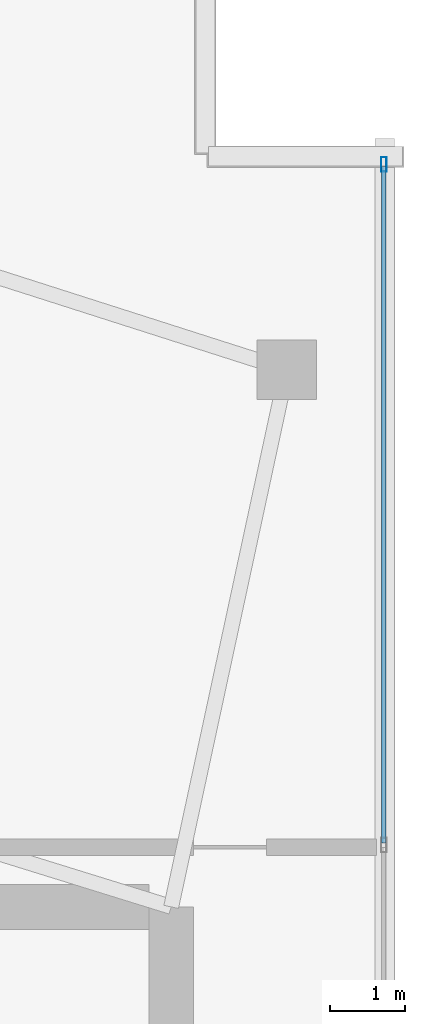
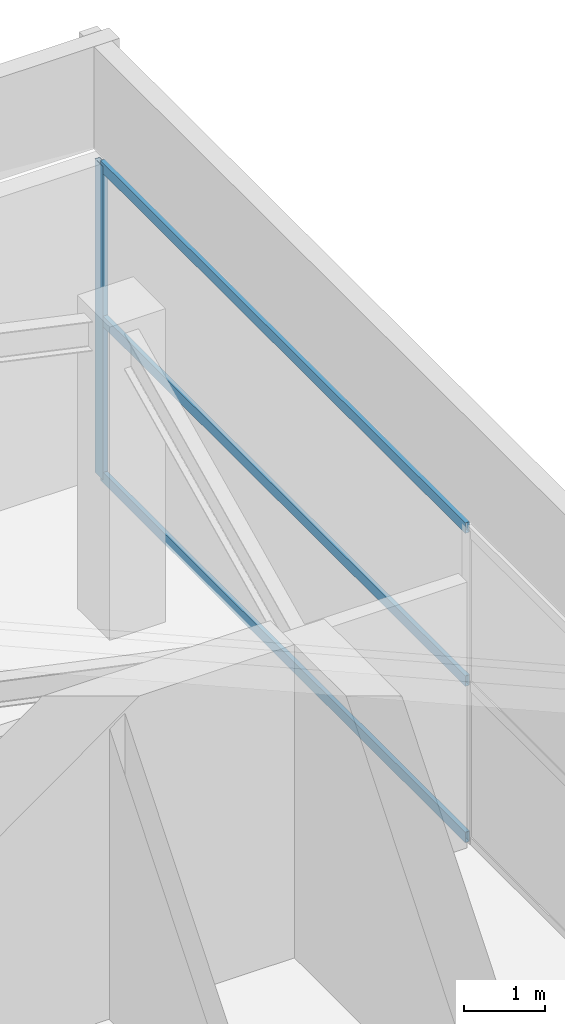
# One storey, part 17 of 20: 4 members, 1 element without a shape of its own.
"""IFC4 building model written with IfcOpenShell, lengths in metres."""

import ifcopenshell
import ifcopenshell.guid

model = None  # the IFC model being written
_history = None  # IfcOwnerHistory: only IFC2X3 demands one
_inside = {}  # id of a spatial element -> (the spatial element, [elements in it])
_under = {}  # id of a project, library or spatial element -> (it, [spatial elements below it])
_declared = {}  # id of a project -> (the project, [libraries it declares])
_typed = {}  # id of a type object -> (the type object, [elements of that type])
_made_of = {}  # id of a material, layer set ... -> (it, [elements and type objects made of it])


def new_model(schema):
    """Start an empty IFC model of exactly this schema.

    Asked for "IFC4X3", IfcOpenShell would pick the latest addendum, in which some entities
    have other attributes; the version numbers below select the first issue.
    IFC2X3 requires an IfcOwnerHistory on every rooted entity: one is made here for all.
    """
    global model, _history
    if schema == "IFC4X3":
        model = ifcopenshell.file(schema_version=(4, 3, 0, 0))
    else:
        model = ifcopenshell.file(schema=schema)
    _inside.clear()
    _under.clear()
    _declared.clear()
    _typed.clear()
    _made_of.clear()
    _history = None
    if model.schema == "IFC2X3":
        org = make("IfcOrganization", Name="unknown")
        user = make(
            "IfcPersonAndOrganization",
            ThePerson=make("IfcPerson", FamilyName="unknown"),
            TheOrganization=org,
        )
        app = make(
            "IfcApplication",
            ApplicationDeveloper=org,
            Version="unknown",
            ApplicationFullName="unknown",
            ApplicationIdentifier="unknown",
        )
        _history = make(
            "IfcOwnerHistory",
            OwningUser=user,
            OwningApplication=app,
            ChangeAction="ADDED",
            CreationDate=0,
        )
    return model


def make(cls, **values):
    """One entity of the class cls with the attributes given. An attribute that is None is left unset."""
    return model.create_entity(
        cls, **{name: value for name, value in values.items() if value is not None}
    )


def rooted(cls, **values):
    """An entity with a GlobalId (a new one), such as an element, a storey or a relation."""
    return make(cls, GlobalId=ifcopenshell.guid.new(), OwnerHistory=_history, **values)


def si_unit(unit_type, name, prefix=None):
    """IfcSIUnit, for example si_unit("LENGTHUNIT", "METRE", prefix="MILLI")."""
    return make("IfcSIUnit", UnitType=unit_type, Prefix=prefix, Name=name)


def assignment(units):
    """IfcUnitAssignment: the units of a project."""
    return None if units is None else make("IfcUnitAssignment", Units=units)


def point(xyz):
    """IfcCartesianPoint."""
    return None if xyz is None else make("IfcCartesianPoint", Coordinates=xyz)


def direction(xyz):
    """IfcDirection."""
    return None if xyz is None else make("IfcDirection", DirectionRatios=xyz)


def frame(location, z_axis=None, x_axis=None):
    """IfcAxis2Placement3D, a coordinate frame: its origin and axes. An axis left out is left unset."""
    return make(
        "IfcAxis2Placement3D",
        Location=point(location),
        Axis=direction(z_axis),
        RefDirection=direction(x_axis),
    )


def frame_2d(location, x_axis=None):
    """IfcAxis2Placement2D, a coordinate frame in the plane: its origin and x axis."""
    return make(
        "IfcAxis2Placement2D", Location=point(location), RefDirection=direction(x_axis)
    )


def origin():
    """The frame at (0, 0, 0) with its axes left unset."""
    return frame((0.0, 0.0, 0.0))


def origin_2d():
    """The frame at (0, 0) in the plane with its x axis left unset."""
    return frame_2d((0.0, 0.0))


def place(relative_to, where):
    """IfcLocalPlacement: puts the frame where relative to a parent placement (None: the world)."""
    return make(
        "IfcLocalPlacement", PlacementRelTo=relative_to, RelativePlacement=where
    )


def context(
    kind, dimensions, precision=None, world=None, true_north=None, identifier=None
):
    """IfcGeometricRepresentationContext, for example the 3D "Model" context."""
    return make(
        "IfcGeometricRepresentationContext",
        ContextIdentifier=identifier,
        ContextType=kind,
        CoordinateSpaceDimension=dimensions,
        Precision=precision,
        WorldCoordinateSystem=world,
        TrueNorth=true_north,
    )


def subcontext(parent, identifier, kind, view, scale=None):
    """IfcGeometricRepresentationSubContext, for example "Body" below "Model"."""
    return make(
        "IfcGeometricRepresentationSubContext",
        ContextIdentifier=identifier,
        ContextType=kind,
        ParentContext=parent,
        TargetScale=scale,
        TargetView=view,
    )


def project(units=None, contexts=None):
    """IfcProject with its units and contexts."""
    return rooted(
        "IfcProject",
        Name="project",
        RepresentationContexts=contexts,
        UnitsInContext=assignment(units),
    )


def spatial(cls, under=None, at=None, **own):
    """A site, building, storey or space (cls), placed at a placement, below another one or the project."""
    s = rooted(cls, ObjectPlacement=at, **own)
    if under is not None:
        _under.setdefault(under.id(), (under, []))[1].append(s)
    return s


def profile(cls, at=None, kind="AREA", **sizes):
    """A parametric profile (cls). Its sizes go by their IFC names, for example OverallWidth=200.0."""
    return make(cls, ProfileType=kind, Position=at, **sizes)


def hollow_rectangle(**sizes):
    """IfcRectangleHollowProfileDef."""
    return profile("IfcRectangleHollowProfileDef", **sizes)


def extrude(swept, where, along, depth):
    """IfcExtrudedAreaSolid: the profile swept, set in the frame where, extruded along a direction by depth."""
    return make(
        "IfcExtrudedAreaSolid",
        SweptArea=swept,
        Position=where,
        ExtrudedDirection=direction(along),
        Depth=depth,
    )


def shape(context_of_items, identifier, shape_type, items):
    """IfcShapeRepresentation: the items that make up one representation, for example the "Body"."""
    return make(
        "IfcShapeRepresentation",
        ContextOfItems=context_of_items,
        RepresentationIdentifier=identifier,
        RepresentationType=shape_type,
        Items=items,
    )


def material(Name=None, Category=None):
    """IfcMaterial."""
    return make("IfcMaterial", Name=Name, Category=Category)


def layer(
    of_material, thickness, ventilated=None, Name=None, Category=None, Priority=None
):
    """IfcMaterialLayer: one layer of a wall or slab, of a material (None: an air gap)."""
    return make(
        "IfcMaterialLayer",
        Material=of_material,
        LayerThickness=thickness,
        IsVentilated=ventilated,
        Name=Name,
        Category=Category,
        Priority=Priority,
    )


def layer_set(layers, Name=None):
    """IfcMaterialLayerSet."""
    return make("IfcMaterialLayerSet", MaterialLayers=layers, LayerSetName=Name)


def material_profile(
    of_material, cross_section, Name=None, Category=None, Priority=None
):
    """IfcMaterialProfile: a cross section and its material."""
    return make(
        "IfcMaterialProfile",
        Name=Name,
        Material=of_material,
        Profile=cross_section,
        Priority=Priority,
        Category=Category,
    )


def profile_set(profiles, Name=None, composite=None):
    """IfcMaterialProfileSet."""
    return make(
        "IfcMaterialProfileSet",
        Name=Name,
        MaterialProfiles=profiles,
        CompositeProfile=composite,
    )


def made_of(thing, what):
    """Note that an element or type object is made of a material, layer set ...; save() writes the relation."""
    if what is not None:
        _made_of.setdefault(what.id(), (what, []))[1].append(thing)
    return thing


def type_object(cls, material=None, **own):
    """A type object (cls), such as IfcWallType, which elements share."""
    return made_of(rooted(cls, **own), material)


def element(
    cls,
    number,
    at=None,
    inside=None,
    cuts=None,
    type_object=None,
    material=None,
    context=None,
    identifier="Body",
    shape_type=None,
    held_by="IfcProductDefinitionShape",
    body=None,
    shapes=None,
    **own,
):
    """One element of the class cls, such as IfcWall. Its Tag is "e" and its number.

    at: its placement. inside: the storey or other place that contains it. cuts: it is an
    opening in that element (IfcRelVoidsElement). A single representation is given by context,
    identifier, shape_type and body (its items); several are given by shapes. held_by: the class
    of the entity that holds the representations. save() writes the other relations.
    """
    e = rooted(cls, Tag="e%d" % number, ObjectPlacement=at, **own)
    if body is not None:
        shapes = [shape(context, identifier, shape_type, body)]
    if shapes is not None:
        e.Representation = make(held_by, Representations=shapes)
    if inside is not None:
        _inside.setdefault(inside.id(), (inside, []))[1].append(e)
    if cuts is not None:
        rooted(
            "IfcRelVoidsElement", RelatingBuildingElement=cuts, RelatedOpeningElement=e
        )
    if type_object is not None:
        _typed.setdefault(type_object.id(), (type_object, []))[1].append(e)
    return made_of(e, material)


def aggregate(whole, parts):
    """IfcRelAggregates: a whole, such as a stair, and the parts it consists of."""
    return rooted("IfcRelAggregates", RelatingObject=whole, RelatedObjects=parts)


def save(model, path):
    """Write the relations noted so far, then the file.

    IfcRelAggregates (storeys below a building ...), IfcRelContainedInSpatialStructure (elements
    in a storey), IfcRelDefinesByType, IfcRelAssociatesMaterial and IfcRelDeclares: one each for
    every whole, place, type object, material and project.
    """
    for whole, parts in _under.values():
        aggregate(whole, parts)
    for where, things in _inside.values():
        rooted(
            "IfcRelContainedInSpatialStructure",
            RelatedElements=things,
            RelatingStructure=where,
        )
    for kind, things in _typed.values():
        rooted("IfcRelDefinesByType", RelatedObjects=things, RelatingType=kind)
    for what, things in _made_of.values():
        rooted("IfcRelAssociatesMaterial", RelatedObjects=things, RelatingMaterial=what)
    for by, libraries in _declared.values():
        rooted("IfcRelDeclares", RelatingContext=by, RelatedDefinitions=libraries)
    model.write(path)


model = new_model("IFC4")

# Units and contexts
model_context = context("Model", 3, precision=1e-05, world=origin(), true_north=direction((0.0, 1.0)))
body_context = subcontext(model_context, "Body", "Model", "MODEL_VIEW")
ifc_project = project(units=[si_unit("LENGTHUNIT", "METRE"), si_unit("AREAUNIT", "SQUARE_METRE"), si_unit("VOLUMEUNIT", "CUBIC_METRE"), si_unit("PLANEANGLEUNIT", "RADIAN"), si_unit("MASSUNIT", "GRAM", prefix="KILO")], contexts=[model_context])

# Site, building, storey
site_placement = place(None, origin())
site = spatial("IfcSite", under=ifc_project, at=site_placement, CompositionType="ELEMENT")
building_placement = place(site_placement, origin())
building = spatial("IfcBuilding", under=site, at=building_placement, Name="Calvorn Quay Hotel", CompositionType="ELEMENT")
storey_placement = place(building_placement, frame((0.0, 0.0, 345.5)))
storey = spatial("IfcBuildingStorey", under=building, at=storey_placement, Name="L84", CompositionType="ELEMENT", Elevation=345.5)

# Curtain wall, members
ifc_material_1 = material(Name="Pale Anodised Aluminium and Laminated Glass", Category="aluminium")
ifc_layer = layer(ifc_material_1, 0.219970703125)
ifc_layer_set = layer_set([ifc_layer], Name="CW-SYS-CRN")
curtain_wall_type = type_object("IfcCurtainWallType", Name="CW-SYS-CRN", PredefinedType="NOTDEFINED", material=ifc_layer_set)
curtain_wall_placement = place(storey_placement, origin())
curtain_wall = element("IfcCurtainWall", 1, at=curtain_wall_placement, inside=storey, type_object=curtain_wall_type, Name="Crown Curtain Wall L84-C2", PredefinedType="NOTDEFINED")
ifc_material_2 = material(Name="Pale Anodised Aluminium 6063-T6", Category="aluminium")
ifc_material_profile_1 = material_profile(ifc_material_2, hollow_rectangle(XDim=0.072021484375, YDim=0.195068359375, WallThickness=0.00390625, at=origin_2d()), Name="ALU-M195x72x4")
ifc_profile_set_1 = profile_set([ifc_material_profile_1], Name="Pale Anodised Aluminium 6063-T6")
member_type_1 = type_object("IfcMemberType", Name="CW-SYS-CRN-MUL", PredefinedType="MULLION", material=ifc_profile_set_1)
member_1_placement = place(storey_placement, frame((17.85009765625, 48.35009765625, 0.0), z_axis=(0.0, 0.0, 1.0), x_axis=(-1.0, 0.0, 0.0)))
member_1 = element("IfcMember", 2, at=member_1_placement, type_object=member_type_1, Name="CW-L84-C2 mullion 6", PredefinedType="MULLION", context=body_context, shape_type="SweptSolid", body=[
    extrude(hollow_rectangle(XDim=0.072021484375, YDim=0.195068359375, WallThickness=0.00390625, at=origin_2d()), origin(), (0.0, 0.0, 1.0), 4.75),
])
ifc_material_3 = material(Name="Pale Anodised Aluminium 6063-T6", Category="aluminium")
ifc_material_profile_2 = material_profile(ifc_material_3, hollow_rectangle(XDim=0.06201171875, YDim=0.159912109375, WallThickness=0.00341796875, at=origin_2d()), Name="ALU-T160x62x3.5")
ifc_profile_set_2 = profile_set([ifc_material_profile_2], Name="Pale Anodised Aluminium 6063-T6")
member_type_2 = type_object("IfcMemberType", Name="CW-SYS-CRN-TRN", PredefinedType="USERDEFINED", material=ifc_profile_set_2)
member_2_placement = place(storey_placement, frame((17.85009765625, 39.258056640625, 0.030029296875), z_axis=(0.0, 1.0, 0.0), x_axis=(-1.0, 0.0, 0.0)))
member_2 = element("IfcMember", 3, at=member_2_placement, type_object=member_type_2, Name="CW-L84-C2 transom 5.1", ObjectType="TRANSOM", PredefinedType="USERDEFINED", context=body_context, shape_type="SweptSolid", body=[
    extrude(hollow_rectangle(XDim=0.06201171875, YDim=0.159912109375, WallThickness=0.00341796875, at=origin_2d()), origin(), (0.0, 0.0, 1.0), 9.06201171875),
])
member_3_placement = place(storey_placement, frame((17.85009765625, 39.258056640625, 2.39990234375), z_axis=(0.0, 1.0, 0.0), x_axis=(-1.0, 0.0, 0.0)))
member_3 = element("IfcMember", 4, at=member_3_placement, type_object=member_type_2, Name="CW-L84-C2 transom 5.2", ObjectType="TRANSOM", PredefinedType="USERDEFINED", context=body_context, shape_type="SweptSolid", body=[
    extrude(hollow_rectangle(XDim=0.06201171875, YDim=0.159912109375, WallThickness=0.00341796875, at=origin_2d()), origin(), (0.0, 0.0, 1.0), 9.06201171875),
])
member_4_placement = place(storey_placement, frame((17.85009765625, 39.258056640625, 4.719970703125), z_axis=(0.0, 1.0, 0.0), x_axis=(-1.0, 0.0, 0.0)))
member_4 = element("IfcMember", 5, at=member_4_placement, type_object=member_type_2, Name="CW-L84-C2 transom 5.3", ObjectType="TRANSOM", PredefinedType="USERDEFINED", context=body_context, shape_type="SweptSolid", body=[
    extrude(hollow_rectangle(XDim=0.06201171875, YDim=0.159912109375, WallThickness=0.00341796875, at=origin_2d()), origin(), (0.0, 0.0, 1.0), 9.06201171875),
])
aggregate(curtain_wall, [member_1, member_2, member_3, member_4])

save(model, "model.ifc")
